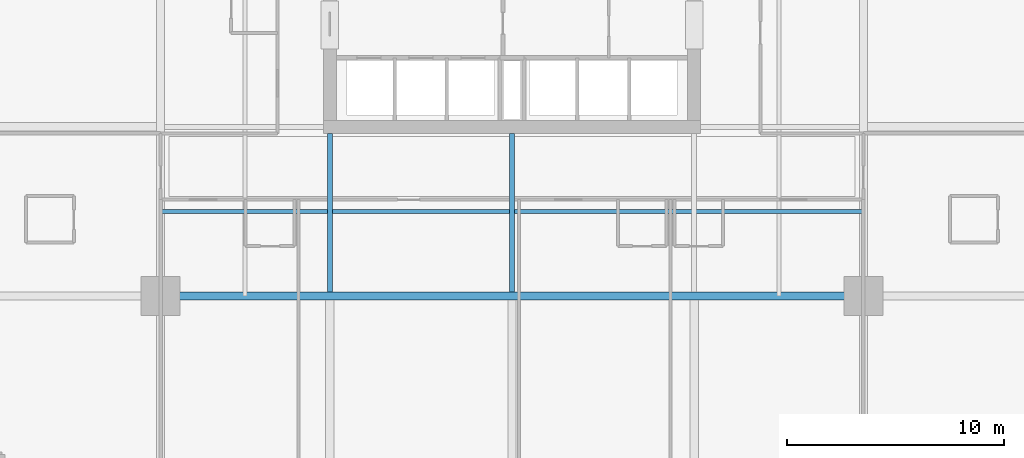
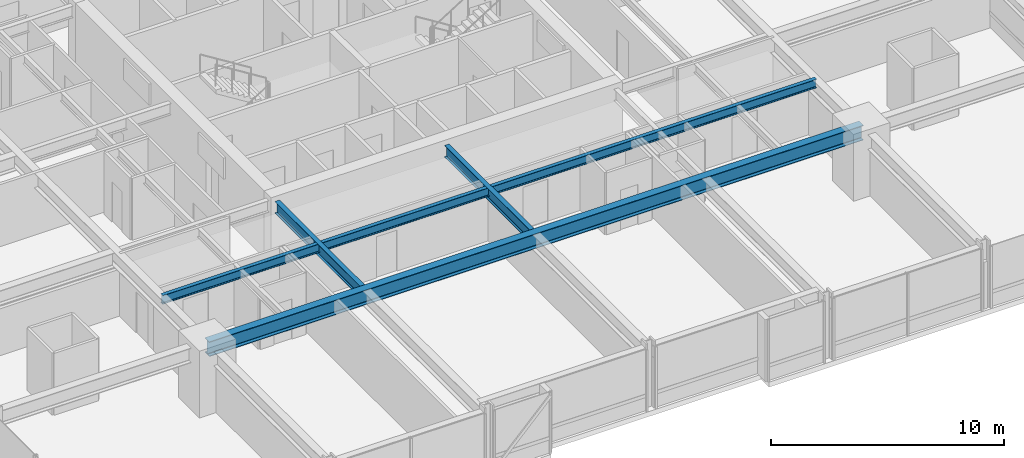
# One storey, part 6 of 37: 4 beams.
"""IFC4 building model written with IfcOpenShell, lengths in metres."""

from ifc_helpers import new_model, si_unit, direction, frame, origin, origin_2d, place, context, subcontext, project, spatial, i_section, extrude, material, material_profile, profile_set, type_object, element, save


model = new_model("IFC4")

# Units and contexts
model_context = context("Model", 3, precision=1e-05, world=origin(), true_north=direction((0.0, 1.0)))
body_context = subcontext(model_context, "Body", "Model", "MODEL_VIEW")
ifc_project = project(units=[si_unit("LENGTHUNIT", "METRE"), si_unit("AREAUNIT", "SQUARE_METRE"), si_unit("VOLUMEUNIT", "CUBIC_METRE"), si_unit("PLANEANGLEUNIT", "RADIAN"), si_unit("MASSUNIT", "GRAM", prefix="KILO")], contexts=[model_context])

# Site, building, storey
site_placement = place(None, origin())
site = spatial("IfcSite", under=ifc_project, at=site_placement, CompositionType="ELEMENT")
building_placement = place(site_placement, origin())
building = spatial("IfcBuilding", under=site, at=building_placement, Name="Drelvath Grand Hotel", CompositionType="ELEMENT")
storey_placement = place(building_placement, frame((0.0, 0.0, 75.199951171875)))
storey = spatial("IfcBuildingStorey", under=building, at=storey_placement, Name="L18", CompositionType="ELEMENT", Elevation=75.199951171875)

# Beams
ifc_material = material(Name="Steel ASTM A992 Gr 50", Category="steel")
ifc_material_profile_1 = material_profile(ifc_material, i_section(OverallWidth=0.19140625, OverallDepth=0.4599609375, WebThickness=0.010009765625, FlangeThickness=0.01611328125, FilletRadius=0.01611328125, at=origin_2d()), Name="W18X55")
ifc_profile_set_1 = profile_set([ifc_material_profile_1], Name="Steel ASTM A992 Gr 50")
beam_type_1 = type_object("IfcBeamType", Name="Composite Floor Joist W18X55", PredefinedType="JOIST", material=ifc_profile_set_1)
beam_1_placement = place(storey_placement, frame((-16.199951171875, 14.699951171875, 3.010009765625), z_axis=(1.0, 0.0, 0.0), x_axis=(0.0, 1.0, 0.0)))
element("IfcBeam", 1, at=beam_1_placement, inside=storey, type_object=beam_type_1, Name="L18 Floor Joist J1", PredefinedType="JOIST", context=body_context, shape_type="SweptSolid", body=[
    extrude(i_section(OverallWidth=0.19140625, OverallDepth=0.4599609375, WebThickness=0.010009765625, FlangeThickness=0.01611328125, FilletRadius=0.01611328125, at=origin_2d()), origin(), (0.0, 0.0, 1.0), 32.39990234375),
])
ifc_material_profile_2 = material_profile(ifc_material, i_section(OverallWidth=0.228271484375, OverallDepth=0.607666015625, WebThickness=0.01123046875, FlangeThickness=0.017333984375, FilletRadius=0.02001953125, at=origin_2d()), Name="W24X76")
ifc_profile_set_2 = profile_set([ifc_material_profile_2], Name="Steel ASTM A992 Gr 50")
beam_type_2 = type_object("IfcBeamType", Name="Primary Floor Girder W24X76", PredefinedType="BEAM", material=ifc_profile_set_2)
for number, where, z_axis, x_axis, name in (
    (2, (-8.39990234375, 10.990234375, 2.936279296875), (0.0, 1.0, 0.0), (-1.0, 0.0, 0.0), "L18 South Core Tie 4"),
    (3, (0.0, 10.990234375, 2.936279296875), (0.0, 1.0, 0.0), (-1.0, 0.0, 0.0), "L18 South Core Tie 5"),
):
    element("IfcBeam", number, at=place(storey_placement, frame(where, z_axis=z_axis, x_axis=x_axis)), inside=storey, type_object=beam_type_2, Name=name, PredefinedType="BEAM", context=body_context, shape_type="SweptSolid", body=[
        extrude(i_section(OverallWidth=0.228271484375, OverallDepth=0.607666015625, WebThickness=0.01123046875, FlangeThickness=0.017333984375, FilletRadius=0.02001953125, at=origin_2d()), origin(), (0.0, 0.0, 1.0), 7.309814453125),
    ])
ifc_material_profile_3 = material_profile(ifc_material, i_section(OverallWidth=0.380615234375, OverallDepth=0.773193359375, WebThickness=0.0166015625, FlangeThickness=0.027099609375, FilletRadius=0.02490234375, at=origin_2d()), Name="W30X173")
ifc_profile_set_3 = profile_set([ifc_material_profile_3], Name="Steel ASTM A992 Gr 50")
beam_type_3 = type_object("IfcBeamType", Name="Primary Floor Girder W30X173", PredefinedType="BEAM", material=ifc_profile_set_3)
beam_2_placement = place(storey_placement, frame((-16.199951171875, 10.800048828125, 2.853515625), z_axis=(1.0, 0.0, 0.0), x_axis=(0.0, 1.0, 0.0)))
element("IfcBeam", 4, at=beam_2_placement, inside=storey, type_object=beam_type_3, Name="L18 Mega Ring Girder South", PredefinedType="BEAM", context=body_context, shape_type="SweptSolid", body=[
    extrude(i_section(OverallWidth=0.380615234375, OverallDepth=0.773193359375, WebThickness=0.0166015625, FlangeThickness=0.027099609375, FilletRadius=0.02490234375, at=origin_2d()), origin(), (0.0, 0.0, 1.0), 32.39990234375),
])

save(model, "model.ifc")
